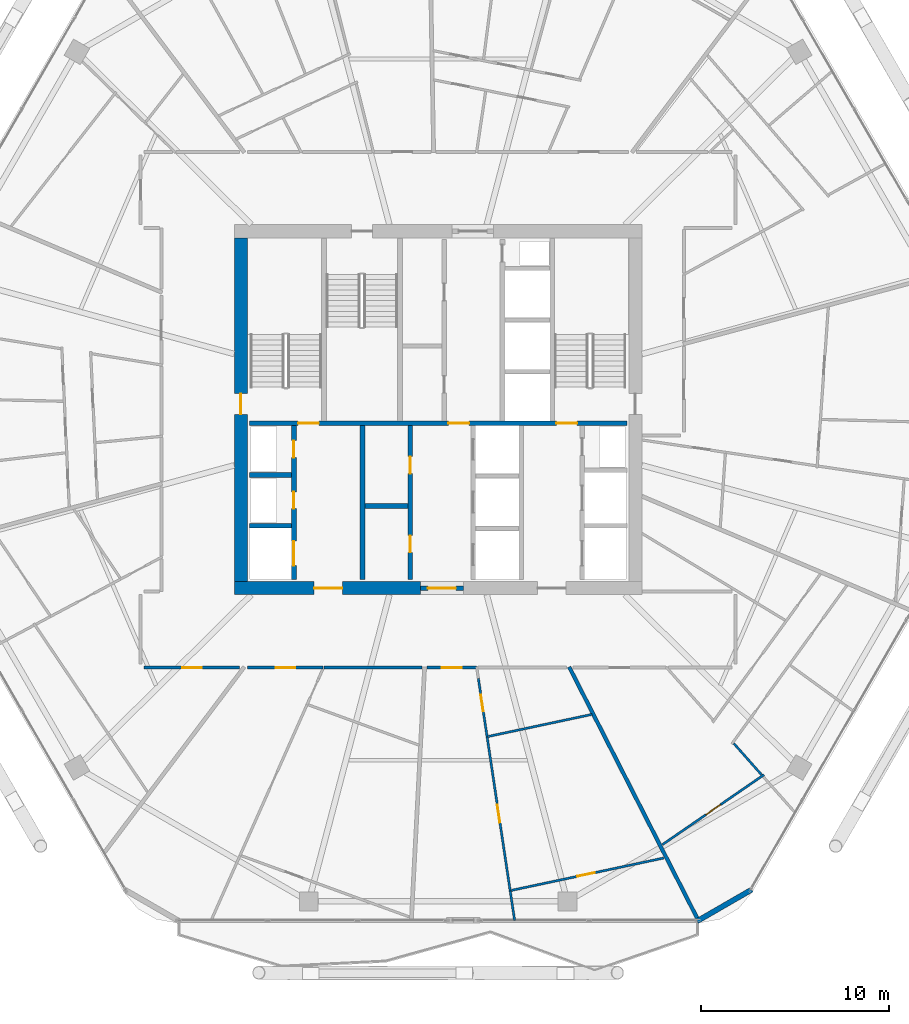
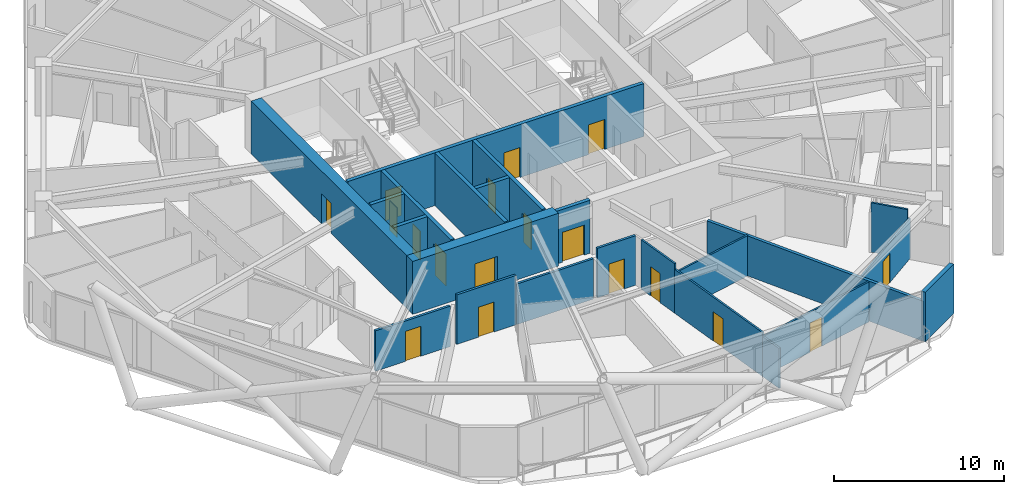
# One storey, part 22 of 29: 23 walls, 18 doors, 18 openings.
"""IFC4 building model written with IfcOpenShell, lengths in metres."""

from ifc_helpers import new_model, si_unit, direction, frame, frame_2d, origin, place, context, subcontext, project, spatial, rectangle, extrude, material, layer, layer_set, type_object, element, fill, save


model = new_model("IFC4")

# Units and contexts
model_context = context("Model", 3, precision=1e-05, world=origin(), true_north=direction((0.0, 1.0)))
body_context = subcontext(model_context, "Body", "Model", "MODEL_VIEW")
ifc_project = project(units=[si_unit("LENGTHUNIT", "METRE"), si_unit("AREAUNIT", "SQUARE_METRE"), si_unit("VOLUMEUNIT", "CUBIC_METRE"), si_unit("PLANEANGLEUNIT", "RADIAN"), si_unit("MASSUNIT", "GRAM", prefix="KILO")], contexts=[model_context])

# Site, building, storey
site_placement = place(None, origin())
site = spatial("IfcSite", under=ifc_project, at=site_placement, CompositionType="ELEMENT")
building_placement = place(site_placement, origin())
building = spatial("IfcBuilding", under=site, at=building_placement, Name="Zuhravey Tower", CompositionType="ELEMENT")
storey_placement = place(building_placement, frame((0.0, 0.0, 184.60009765625)))
storey = spatial("IfcBuildingStorey", under=building, at=storey_placement, Name="L46", CompositionType="ELEMENT", Elevation=184.60009765625)

# Wall, opening, door
ifc_material_1 = material(Name="Concrete C60/75", Category="concrete")
ifc_layer_1 = layer(ifc_material_1, 0.699951171875)
ifc_layer_set_1 = layer_set([ifc_layer_1], Name="Concrete C60/75")
wall_type_1 = type_object("IfcWallType", Name="Core Shear Wall 700", PredefinedType="SHEAR", material=ifc_layer_set_1)
wall_1_placement = place(storey_placement, frame((25.14990234375, 22.5, 0.0), z_axis=(0.0, 0.0, 1.0), x_axis=(1.0, 0.0, 0.0)))
wall_1 = element("IfcWall", 1, at=wall_1_placement, inside=storey, type_object=wall_type_1, Name="L46 South-West Core Shear Wall CW70", PredefinedType="SHEAR", context=body_context, shape_type="SweptSolid", body=[
    extrude(rectangle(XDim=9.900146484375, YDim=0.699951171875, at=frame_2d((4.9501953125, 0.0))), origin(), (0.0, 0.0, 1.0), 3.7998046875),
])
opening_1_placement = place(wall_1_placement, frame((4.25, 0.0, 0.0)))
opening_1 = element("IfcOpeningElement", 2, at=opening_1_placement, cuts=wall_1, Name="Opening FFD1", PredefinedType="OPENING", context=body_context, shape_type="SweptSolid", body=[
    extrude(rectangle(XDim=1.5, YDim=2.14990234375, at=frame_2d((0.75, 1.074951171875))), frame((0.0, 0.362060546875, 0.0), z_axis=(0.0, -1.0, 0.0), x_axis=(1.0, 0.0, 0.0)), (0.0, 0.0, 1.0), 0.723876953125),
])
ifc_material_2 = material(Name="Galvanised fire-rated steel leaf", Category="steel")
door_type_1 = type_object("IfcDoorType", Name="Firefighting Lobby Double Door 1500x2150", OperationType="DOUBLE_DOOR_SINGLE_SWING", PredefinedType="DOOR", material=ifc_material_2)
door_1_placement = place(opening_1_placement, origin())
door_1 = element("IfcDoor", 3, at=door_1_placement, inside=storey, type_object=door_type_1, Name="L46 Firefighting Lobby West Door", OperationType="DOUBLE_DOOR_SINGLE_SWING", OverallHeight=2.14990234375, OverallWidth=1.5, PredefinedType="DOOR", context=body_context, shape_type="SweptSolid", body=[
    extrude(rectangle(XDim=1.5, YDim=2.14990234375, at=frame_2d((0.75, 1.074951171875))), frame((0.0, 0.02490234375, 0.0), z_axis=(0.0, -1.0, 0.0), x_axis=(1.0, 0.0, 0.0)), (0.0, 0.0, 1.0), 0.050048828125),
])
fill(opening_1, door_1)

wall_2_placement = place(storey_placement, frame((25.5, 22.85009765625, 0.0), z_axis=(0.0, 0.0, 1.0), x_axis=(0.0, 1.0, 0.0)))
wall_2 = element("IfcWall", 4, at=wall_2_placement, inside=storey, type_object=wall_type_1, Name="L46 West Core Shear Wall CW70", PredefinedType="SHEAR", context=body_context, shape_type="SweptSolid", body=[
    extrude(rectangle(XDim=18.2998046875, YDim=0.699951171875, at=frame_2d((9.14990234375, 0.0))), origin(), (0.0, 0.0, 1.0), 3.7998046875),
])
opening_2_placement = place(wall_2_placement, frame((8.89990234375, 0.0, 0.0)))
opening_2 = element("IfcOpeningElement", 5, at=opening_2_placement, cuts=wall_2, Name="Opening STD1", PredefinedType="OPENING", context=body_context, shape_type="SweptSolid", body=[
    extrude(rectangle(XDim=1.10009765625, YDim=2.14990234375, at=frame_2d((0.550048828125, 1.074951171875))), frame((0.0, 0.362060546875, 0.0), z_axis=(0.0, -1.0, 0.0), x_axis=(1.0, 0.0, 0.0)), (0.0, 0.0, 1.0), 0.723876953125),
])
door_type_2 = type_object("IfcDoorType", Name="Protected Stair Fire Door 1100x2150", OperationType="NOTDEFINED", PredefinedType="USERDEFINED", material=ifc_material_2)
door_2_placement = place(opening_2_placement, frame((1.10009765625, 0.0, 0.0), z_axis=(0.0, 0.0, 1.0), x_axis=(-1.0, 0.0, 0.0)))
door_2 = element("IfcDoor", 6, at=door_2_placement, inside=storey, type_object=door_type_2, Name="L46 Stair ST1 Door", ObjectType="EXITDOOR", OperationType="SINGLE_SWING_LEFT", OverallHeight=2.14990234375, OverallWidth=1.10009765625, PredefinedType="USERDEFINED", context=body_context, shape_type="SweptSolid", body=[
    extrude(rectangle(XDim=1.10009765625, YDim=2.14990234375, at=frame_2d((0.550048828125, 1.074951171875))), frame((0.0, 0.02490234375, 0.0), z_axis=(0.0, -1.0, 0.0), x_axis=(1.0, 0.0, 0.0)), (0.0, 0.0, 1.0), 0.050048828125),
])
fill(opening_2, door_2)

ifc_material_3 = material(Name="Gypsum fire-rated stud partition")
ifc_layer_2 = layer(ifc_material_3, 0.159912109375)
ifc_layer_set_2 = layer_set([ifc_layer_2], Name="Gypsum fire-rated stud partition")
wall_type_2 = type_object("IfcWallType", Name="Corridor Fire Partition 160", PredefinedType="PARTITIONING", material=ifc_layer_set_2)
wall_3_placement = place(storey_placement, frame((20.35009765625, 18.27001953125, 0.0), z_axis=(0.0, 0.0, 1.0), x_axis=(1.0, 0.0, 0.0)))
wall_3 = element("IfcWall", 7, at=wall_3_placement, inside=storey, type_object=wall_type_2, Name="L46 IW16 Partition 042", PredefinedType="PARTITIONING", context=body_context, shape_type="SweptSolid", body=[
    extrude(rectangle(XDim=5.08935546875, YDim=0.159912109375, at=frame_2d((2.544677734375, 0.0))), origin(), (0.0, 0.0, 1.0), 2.89990234375),
])
opening_3_placement = place(wall_3_placement, frame((2.019775390625, 0.0, 0.0)))
opening_3 = element("IfcOpeningElement", 8, at=opening_3_placement, cuts=wall_3, Name="Opening APD1", PredefinedType="OPENING", context=body_context, shape_type="SweptSolid", body=[
    extrude(rectangle(XDim=1.050048828125, YDim=2.14990234375, at=frame_2d((0.52490234375, 1.074951171875))), frame((0.0, 0.092041015625, 0.0), z_axis=(0.0, -1.0, 0.0), x_axis=(1.0, 0.0, 0.0)), (0.0, 0.0, 1.0), 0.183837890625),
])
ifc_material_4 = material(Name="Solid-core oak fire-rated leaf")
door_type_3 = type_object("IfcDoorType", Name="Apartment Entrance Fire Door 1050x2150", OperationType="NOTDEFINED", PredefinedType="DOOR", material=ifc_material_4)
door_3_placement = place(opening_3_placement, frame((1.050048828125, 0.0, 0.0), z_axis=(0.0, 0.0, 1.0), x_axis=(-1.0, 0.0, 0.0)))
door_3 = element("IfcDoor", 9, at=door_3_placement, inside=storey, type_object=door_type_3, Name="L46 Door 042.1", OperationType="SINGLE_SWING_LEFT", OverallHeight=2.14990234375, OverallWidth=1.050048828125, PredefinedType="DOOR", context=body_context, shape_type="SweptSolid", body=[
    extrude(rectangle(XDim=1.050048828125, YDim=2.14990234375, at=frame_2d((0.52490234375, 1.074951171875))), frame((0.0, 0.02490234375, 0.0), z_axis=(0.0, -1.0, 0.0), x_axis=(1.0, 0.0, 0.0)), (0.0, 0.0, 1.0), 0.050048828125),
])
fill(opening_3, door_3)

wall_4_placement = place(storey_placement, frame((25.865234375, 18.27001953125, 0.0), z_axis=(0.0, 0.0, 1.0), x_axis=(1.0, 0.0, 0.0)))
wall_4 = element("IfcWall", 10, at=wall_4_placement, inside=storey, type_object=wall_type_2, Name="L46 IW16 Partition 046", PredefinedType="PARTITIONING", context=body_context, shape_type="SweptSolid", body=[
    extrude(rectangle(XDim=4.011474609375, YDim=0.159912109375, at=frame_2d((2.005859375, 0.0))), origin(), (0.0, 0.0, 1.0), 3.5498046875),
])
opening_4_placement = place(wall_4_placement, frame((1.480712890625, 0.0, 0.0)))
opening_4 = element("IfcOpeningElement", 11, at=opening_4_placement, cuts=wall_4, Name="Opening APD1", PredefinedType="OPENING", context=body_context, shape_type="SweptSolid", body=[
    extrude(rectangle(XDim=1.050048828125, YDim=2.14990234375, at=frame_2d((0.52490234375, 1.074951171875))), frame((0.0, 0.092041015625, 0.0), z_axis=(0.0, -1.0, 0.0), x_axis=(1.0, 0.0, 0.0)), (0.0, 0.0, 1.0), 0.183837890625),
])
door_4_placement = place(opening_4_placement, frame((1.050048828125, 0.0, 0.0), z_axis=(0.0, 0.0, 1.0), x_axis=(-1.0, 0.0, 0.0)))
door_4 = element("IfcDoor", 12, at=door_4_placement, inside=storey, type_object=door_type_3, Name="L46 Door 046.1", OperationType="SINGLE_SWING_LEFT", OverallHeight=2.14990234375, OverallWidth=1.050048828125, PredefinedType="DOOR", context=body_context, shape_type="SweptSolid", body=[
    extrude(rectangle(XDim=1.050048828125, YDim=2.14990234375, at=frame_2d((0.52490234375, 1.074951171875))), frame((0.0, 0.02490234375, 0.0), z_axis=(0.0, -1.0, 0.0), x_axis=(1.0, 0.0, 0.0)), (0.0, 0.0, 1.0), 0.050048828125),
])
fill(opening_4, door_4)

wall_5_placement = place(storey_placement, frame((35.420654296875, 18.27001953125, 0.0), z_axis=(0.0, 0.0, 1.0), x_axis=(1.0, 0.0, 0.0)))
wall_5 = element("IfcWall", 13, at=wall_5_placement, inside=storey, type_object=wall_type_2, Name="L46 IW16 Partition 050", PredefinedType="PARTITIONING", context=body_context, shape_type="SweptSolid", body=[
    extrude(rectangle(XDim=2.615966796875, YDim=0.159912109375, at=frame_2d((1.30810546875, 0.0))), origin(), (0.0, 0.0, 1.0), 3.5498046875),
])
opening_5_placement = place(wall_5_placement, frame((0.782958984375, 0.0, 0.0)))
opening_5 = element("IfcOpeningElement", 14, at=opening_5_placement, cuts=wall_5, Name="Opening APD1", PredefinedType="OPENING", context=body_context, shape_type="SweptSolid", body=[
    extrude(rectangle(XDim=1.050048828125, YDim=2.14990234375, at=frame_2d((0.52490234375, 1.074951171875))), frame((0.0, 0.092041015625, 0.0), z_axis=(0.0, -1.0, 0.0), x_axis=(1.0, 0.0, 0.0)), (0.0, 0.0, 1.0), 0.183837890625),
])
door_5_placement = place(opening_5_placement, frame((1.050048828125, 0.0, 0.0), z_axis=(0.0, 0.0, 1.0), x_axis=(-1.0, 0.0, 0.0)))
door_5 = element("IfcDoor", 15, at=door_5_placement, inside=storey, type_object=door_type_3, Name="L46 Door 050.1", OperationType="SINGLE_SWING_LEFT", OverallHeight=2.14990234375, OverallWidth=1.050048828125, PredefinedType="DOOR", context=body_context, shape_type="SweptSolid", body=[
    extrude(rectangle(XDim=1.050048828125, YDim=2.14990234375, at=frame_2d((0.52490234375, 1.074951171875))), frame((0.0, 0.02490234375, 0.0), z_axis=(0.0, -1.0, 0.0), x_axis=(1.0, 0.0, 0.0)), (0.0, 0.0, 1.0), 0.050048828125),
])
fill(opening_5, door_5)

# Walls
wall_6_placement = place(storey_placement, frame((29.92041015625, 18.27001953125, 0.0), z_axis=(0.0, 0.0, 1.0), x_axis=(1.0, 0.0, 0.0)))
element("IfcWall", 16, at=wall_6_placement, inside=storey, type_object=wall_type_2, Name="L46 IW16 Partition 141", PredefinedType="PARTITIONING", context=body_context, shape_type="SweptSolid", body=[
    extrude(rectangle(XDim=5.2197265625, YDim=0.159912109375, at=frame_2d((2.60986328125, 0.0))), origin(), (0.0, 0.0, 1.0), 2.89990234375),
])
ifc_material_5 = material(Name="Precast concrete C40/50", Category="concrete")
ifc_layer_3 = layer(ifc_material_5, 0.280029296875)
ifc_layer_set_3 = layer_set([ifc_layer_3], Name="Precast concrete C40/50")
wall_type_3 = type_object("IfcWallType", Name="Crown Architectural Wall 280", PredefinedType="SOLIDWALL", material=ifc_layer_set_3)
wall_7_placement = place(storey_placement, frame((52.693115234375, 6.451904296875, 0.0), z_axis=(0.0, 0.0, 1.0), x_axis=(-0.866020068361, -0.500009241111, 0.0)))
element("IfcWall", 17, at=wall_7_placement, inside=storey, type_object=wall_type_3, Name="L46 Rounded Corner Closure Wall EW28-02", PredefinedType="SOLIDWALL", context=body_context, shape_type="SweptSolid", body=[
    extrude(rectangle(XDim=3.365234375, YDim=0.280029296875, at=frame_2d((1.6826171875, 0.0))), origin(), (0.0, 0.0, 1.0), 3.5498046875),
])

# Wall, opening, door
ifc_material_6 = material(Name="Concrete C50/60", Category="concrete")
ifc_layer_4 = layer(ifc_material_6, 0.25)
ifc_layer_set_4 = layer_set([ifc_layer_4], Name="Concrete C50/60")
wall_type_4 = type_object("IfcWallType", Name="Firefighting Shaft & Stair Wall 250", PredefinedType="SOLIDWALL", material=ifc_layer_set_4)
wall_8_placement = place(storey_placement, frame((35.06005859375, 22.5, 0.0), z_axis=(0.0, 0.0, 1.0), x_axis=(1.0, 0.0, 0.0)))
wall_8 = element("IfcWall", 18, at=wall_8_placement, inside=storey, type_object=wall_type_4, Name="L46 FW25 Shaft Wall 001", PredefinedType="SOLIDWALL", context=body_context, shape_type="SweptSolid", body=[
    extrude(rectangle(XDim=2.280029296875, YDim=0.25, at=frame_2d((1.14013671875, 0.0))), origin(), (0.0, 0.0, 1.0), 3.7998046875),
])
opening_6_placement = place(wall_8_placement, frame((0.389892578125, 0.0, 0.0)))
opening_6 = element("IfcOpeningElement", 19, at=opening_6_placement, cuts=wall_8, Name="Opening FFD1", PredefinedType="OPENING", context=body_context, shape_type="SweptSolid", body=[
    extrude(rectangle(XDim=1.5, YDim=2.14990234375, at=frame_2d((0.75, 1.074951171875))), frame((0.0, 0.136962890625, 0.0), z_axis=(0.0, -1.0, 0.0), x_axis=(1.0, 0.0, 0.0)), (0.0, 0.0, 1.0), 0.27392578125),
])
door_6_placement = place(opening_6_placement, frame((1.5, 0.0, 0.0), z_axis=(0.0, 0.0, 1.0), x_axis=(-1.0, 0.0, 0.0)))
door_6 = element("IfcDoor", 20, at=door_6_placement, inside=storey, type_object=door_type_1, Name="L46 South Lift Lobby Exit Door", OperationType="DOUBLE_DOOR_SINGLE_SWING", OverallHeight=2.14990234375, OverallWidth=1.5, PredefinedType="DOOR", context=body_context, shape_type="SweptSolid", body=[
    extrude(rectangle(XDim=1.5, YDim=2.14990234375, at=frame_2d((0.75, 1.074951171875))), frame((0.0, 0.02490234375, 0.0), z_axis=(0.0, -1.0, 0.0), x_axis=(1.0, 0.0, 0.0)), (0.0, 0.0, 1.0), 0.050048828125),
])
fill(opening_6, door_6)

# Wall, openings, doors
wall_9_placement = place(storey_placement, frame((25.949951171875, 31.27490234375, 0.0), z_axis=(0.0, 0.0, 1.0), x_axis=(1.0, 0.0, 0.0)))
wall_9 = element("IfcWall", 21, at=wall_9_placement, inside=storey, type_object=wall_type_4, Name="L46 FW25 Shaft Wall 003", PredefinedType="SOLIDWALL", context=body_context, shape_type="SweptSolid", body=[
    extrude(rectangle(XDim=20.10009765625, YDim=0.25, at=frame_2d((10.050048828125, 0.0))), origin(), (0.0, 0.0, 1.0), 3.7998046875),
])
opening_7_placement = place(wall_9_placement, frame((2.60009765625, 0.0, 0.0)))
opening_7 = element("IfcOpeningElement", 22, at=opening_7_placement, cuts=wall_9, Name="Opening STD1", PredefinedType="OPENING", context=body_context, shape_type="SweptSolid", body=[
    extrude(rectangle(XDim=1.10009765625, YDim=2.14990234375, at=frame_2d((0.550048828125, 1.074951171875))), frame((0.0, 0.136962890625, 0.0), z_axis=(0.0, -1.0, 0.0), x_axis=(1.0, 0.0, 0.0)), (0.0, 0.0, 1.0), 0.27392578125),
])
opening_8_placement = place(wall_9_placement, frame((10.60009765625, 0.0, 0.0)))
opening_8 = element("IfcOpeningElement", 23, at=opening_8_placement, cuts=wall_9, Name="Opening STD1", PredefinedType="OPENING", context=body_context, shape_type="SweptSolid", body=[
    extrude(rectangle(XDim=1.10009765625, YDim=2.14990234375, at=frame_2d((0.550048828125, 1.074951171875))), frame((0.0, 0.136962890625, 0.0), z_axis=(0.0, -1.0, 0.0), x_axis=(1.0, 0.0, 0.0)), (0.0, 0.0, 1.0), 0.27392578125),
])
opening_9_placement = place(wall_9_placement, frame((16.35009765625, 0.0, 0.0)))
opening_9 = element("IfcOpeningElement", 24, at=opening_9_placement, cuts=wall_9, Name="Opening STD1", PredefinedType="OPENING", context=body_context, shape_type="SweptSolid", body=[
    extrude(rectangle(XDim=1.10009765625, YDim=2.14990234375, at=frame_2d((0.550048828125, 1.074951171875))), frame((0.0, 0.136962890625, 0.0), z_axis=(0.0, -1.0, 0.0), x_axis=(1.0, 0.0, 0.0)), (0.0, 0.0, 1.0), 0.27392578125),
])
door_7_placement = place(opening_7_placement, origin())
door_7 = element("IfcDoor", 25, at=door_7_placement, inside=storey, type_object=door_type_2, Name="L46 FFL-W to ST1 Door", ObjectType="EXITDOOR", OperationType="SINGLE_SWING_RIGHT", OverallHeight=2.14990234375, OverallWidth=1.10009765625, PredefinedType="USERDEFINED", context=body_context, shape_type="SweptSolid", body=[
    extrude(rectangle(XDim=1.10009765625, YDim=2.14990234375, at=frame_2d((0.550048828125, 1.074951171875))), frame((0.0, 0.02490234375, 0.0), z_axis=(0.0, -1.0, 0.0), x_axis=(1.0, 0.0, 0.0)), (0.0, 0.0, 1.0), 0.050048828125),
])
fill(opening_7, door_7)
door_8_placement = place(opening_8_placement, origin())
door_8 = element("IfcDoor", 26, at=door_8_placement, inside=storey, type_object=door_type_2, Name="L46 Core Lobby Link Door", ObjectType="EXITDOOR", OperationType="SINGLE_SWING_LEFT", OverallHeight=2.14990234375, OverallWidth=1.10009765625, PredefinedType="USERDEFINED", context=body_context, shape_type="SweptSolid", body=[
    extrude(rectangle(XDim=1.10009765625, YDim=2.14990234375, at=frame_2d((0.550048828125, 1.074951171875))), frame((0.0, 0.02490234375, 0.0), z_axis=(0.0, -1.0, 0.0), x_axis=(1.0, 0.0, 0.0)), (0.0, 0.0, 1.0), 0.050048828125),
])
fill(opening_8, door_8)
door_9_placement = place(opening_9_placement, origin())
door_9 = element("IfcDoor", 27, at=door_9_placement, inside=storey, type_object=door_type_2, Name="L46 FFL-E to ST2 Door", ObjectType="EXITDOOR", OperationType="SINGLE_SWING_RIGHT", OverallHeight=2.14990234375, OverallWidth=1.10009765625, PredefinedType="USERDEFINED", context=body_context, shape_type="SweptSolid", body=[
    extrude(rectangle(XDim=1.10009765625, YDim=2.14990234375, at=frame_2d((0.550048828125, 1.074951171875))), frame((0.0, 0.02490234375, 0.0), z_axis=(0.0, -1.0, 0.0), x_axis=(1.0, 0.0, 0.0)), (0.0, 0.0, 1.0), 0.050048828125),
])
fill(opening_9, door_9)

# Walls
for number, where, z_axis, x_axis, name in (
    (28, (25.949951171875, 25.824951171875, 0.0), (0.0, 0.0, 1.0), (1.0, 0.0, 0.0), "L46 FW25 Shaft Wall 009"),
    (29, (25.949951171875, 28.52490234375, 0.0), (0.0, 0.0, 1.0), (1.0, 0.0, 0.0), "L46 FW25 Shaft Wall 010"),
):
    element("IfcWall", number, at=place(storey_placement, frame(where, z_axis=z_axis, x_axis=x_axis)), inside=storey, type_object=wall_type_4, Name=name, PredefinedType="SOLIDWALL", context=body_context, shape_type="SweptSolid", body=[
        extrude(rectangle(XDim=2.25, YDim=0.25, at=frame_2d((1.125, 0.0))), origin(), (0.0, 0.0, 1.0), 3.7998046875),
    ])

# Wall, openings, doors
wall_10_placement = place(storey_placement, frame((28.324951171875, 22.949951171875, 0.0), z_axis=(0.0, 0.0, 1.0), x_axis=(0.0, 1.0, 0.0)))
wall_10 = element("IfcWall", 30, at=wall_10_placement, inside=storey, type_object=wall_type_4, Name="L46 FW25 Shaft Wall 011", PredefinedType="SOLIDWALL", context=body_context, shape_type="SweptSolid", body=[
    extrude(rectangle(XDim=8.199951171875, YDim=0.25, at=frame_2d((4.10009765625, 0.0))), origin(), (0.0, 0.0, 1.0), 3.7998046875),
])
opening_10_placement = place(wall_10_placement, frame((0.75, 0.0, 0.0)))
opening_10 = element("IfcOpeningElement", 31, at=opening_10_placement, cuts=wall_10, Name="Opening LD2", PredefinedType="OPENING", context=body_context, shape_type="SweptSolid", body=[
    extrude(rectangle(XDim=1.300048828125, YDim=2.300048828125, at=frame_2d((0.64990234375, 1.14990234375))), frame((0.0, 0.136962890625, 0.0), z_axis=(0.0, -1.0, 0.0), x_axis=(1.0, 0.0, 0.0)), (0.0, 0.0, 1.0), 0.27392578125),
])
opening_11_placement = place(wall_10_placement, frame((3.780029296875, 0.0, 0.0)))
opening_11 = element("IfcOpeningElement", 32, at=opening_11_placement, cuts=wall_10, Name="Opening RSD1", PredefinedType="OPENING", context=body_context, shape_type="SweptSolid", body=[
    extrude(rectangle(XDim=0.89990234375, YDim=2.10009765625, at=frame_2d((0.449951171875, 1.050048828125))), frame((0.0, 0.136962890625, 0.0), z_axis=(0.0, -1.0, 0.0), x_axis=(1.0, 0.0, 0.0)), (0.0, 0.0, 1.0), 0.27392578125),
])
opening_12_placement = place(wall_10_placement, frame((6.5, 0.0, 0.0)))
opening_12 = element("IfcOpeningElement", 33, at=opening_12_placement, cuts=wall_10, Name="Opening RSD1", PredefinedType="OPENING", context=body_context, shape_type="SweptSolid", body=[
    extrude(rectangle(XDim=0.89990234375, YDim=2.10009765625, at=frame_2d((0.449951171875, 1.050048828125))), frame((0.0, 0.136962890625, 0.0), z_axis=(0.0, -1.0, 0.0), x_axis=(1.0, 0.0, 0.0)), (0.0, 0.0, 1.0), 0.27392578125),
])
ifc_material_7 = material(Name="Brushed stainless steel", Category="steel")
door_type_4 = type_object("IfcDoorType", Name="Freight & Stretcher Lift Sliding Door 1300x2300", OperationType="DOUBLE_DOOR_SLIDING", PredefinedType="DOOR", material=ifc_material_7)
door_10_placement = place(opening_10_placement, frame((1.300048828125, 0.0, 0.0), z_axis=(0.0, 0.0, 1.0), x_axis=(-1.0, 0.0, 0.0)))
door_10 = element("IfcDoor", 34, at=door_10_placement, inside=storey, type_object=door_type_4, Name="L46 Lift FF1 Landing Door", OperationType="DOUBLE_DOOR_SLIDING", OverallHeight=2.300048828125, OverallWidth=1.300048828125, PredefinedType="DOOR", context=body_context, shape_type="SweptSolid", body=[
    extrude(rectangle(XDim=1.300048828125, YDim=2.300048828125, at=frame_2d((0.64990234375, 1.14990234375))), frame((0.0, 0.02490234375, 0.0), z_axis=(0.0, -1.0, 0.0), x_axis=(1.0, 0.0, 0.0)), (0.0, 0.0, 1.0), 0.050048828125),
])
fill(opening_10, door_10)
ifc_material_8 = material(Name="Galvanised fire-rated steel access leaf", Category="steel")
door_type_5 = type_object("IfcDoorType", Name="Riser & Shaft Access Fire Door 900x2100", OperationType="NOTDEFINED", PredefinedType="DOOR", material=ifc_material_8)
door_11_placement = place(opening_11_placement, frame((0.89990234375, 0.0, 0.0), z_axis=(0.0, 0.0, 1.0), x_axis=(-1.0, 0.0, 0.0)))
door_11 = element("IfcDoor", 35, at=door_11_placement, inside=storey, type_object=door_type_5, Name="L46 Electrical Riser Door", OperationType="SINGLE_SWING_RIGHT", OverallHeight=2.10009765625, OverallWidth=0.89990234375, PredefinedType="DOOR", context=body_context, shape_type="SweptSolid", body=[
    extrude(rectangle(XDim=0.89990234375, YDim=2.10009765625, at=frame_2d((0.449951171875, 1.050048828125))), frame((0.0, 0.02490234375, 0.0), z_axis=(0.0, -1.0, 0.0), x_axis=(1.0, 0.0, 0.0)), (0.0, 0.0, 1.0), 0.050048828125),
])
fill(opening_11, door_11)
door_12_placement = place(opening_12_placement, frame((0.89990234375, 0.0, 0.0), z_axis=(0.0, 0.0, 1.0), x_axis=(-1.0, 0.0, 0.0)))
door_12 = element("IfcDoor", 36, at=door_12_placement, inside=storey, type_object=door_type_5, Name="L46 Smoke Shaft Access Door", OperationType="SINGLE_SWING_LEFT", OverallHeight=2.10009765625, OverallWidth=0.89990234375, PredefinedType="DOOR", context=body_context, shape_type="SweptSolid", body=[
    extrude(rectangle(XDim=0.89990234375, YDim=2.10009765625, at=frame_2d((0.449951171875, 1.050048828125))), frame((0.0, 0.02490234375, 0.0), z_axis=(0.0, -1.0, 0.0), x_axis=(1.0, 0.0, 0.0)), (0.0, 0.0, 1.0), 0.050048828125),
])
fill(opening_12, door_12)

# Walls
wall_11_placement = place(storey_placement, frame((31.97509765625, 22.949951171875, 0.0), z_axis=(0.0, 0.0, 1.0), x_axis=(0.0, 1.0, 0.0)))
element("IfcWall", 37, at=wall_11_placement, inside=storey, type_object=wall_type_4, Name="L46 FW25 Shaft Wall 012", PredefinedType="SOLIDWALL", context=body_context, shape_type="SweptSolid", body=[
    extrude(rectangle(XDim=8.199951171875, YDim=0.25, at=frame_2d((4.10009765625, 0.0))), origin(), (0.0, 0.0, 1.0), 3.7998046875),
])
wall_12_placement = place(storey_placement, frame((32.10009765625, 26.875, 0.0), z_axis=(0.0, 0.0, 1.0), x_axis=(1.0, 0.0, 0.0)))
element("IfcWall", 38, at=wall_12_placement, inside=storey, type_object=wall_type_4, Name="L46 FW25 Shaft Wall 013", PredefinedType="SOLIDWALL", context=body_context, shape_type="SweptSolid", body=[
    extrude(rectangle(XDim=2.2998046875, YDim=0.25, at=frame_2d((1.14990234375, 0.0))), origin(), (0.0, 0.0, 1.0), 3.7998046875),
])

# Wall, openings, doors
wall_13_placement = place(storey_placement, frame((34.52490234375, 22.949951171875, 0.0), z_axis=(0.0, 0.0, 1.0), x_axis=(0.0, 1.0, 0.0)))
wall_13 = element("IfcWall", 39, at=wall_13_placement, inside=storey, type_object=wall_type_4, Name="L46 FW25 Shaft Wall 014", PredefinedType="SOLIDWALL", context=body_context, shape_type="SweptSolid", body=[
    extrude(rectangle(XDim=8.199951171875, YDim=0.25, at=frame_2d((4.10009765625, 0.0))), origin(), (0.0, 0.0, 1.0), 3.7998046875),
])
opening_13_placement = place(wall_13_placement, frame((1.449951171875, 0.0, 0.0)))
opening_13 = element("IfcOpeningElement", 40, at=opening_13_placement, cuts=wall_13, Name="Opening RSD1", PredefinedType="OPENING", context=body_context, shape_type="SweptSolid", body=[
    extrude(rectangle(XDim=0.89990234375, YDim=2.10009765625, at=frame_2d((0.449951171875, 1.050048828125))), frame((0.0, 0.136962890625, 0.0), z_axis=(0.0, -1.0, 0.0), x_axis=(1.0, 0.0, 0.0)), (0.0, 0.0, 1.0), 0.27392578125),
])
opening_14_placement = place(wall_13_placement, frame((5.64990234375, 0.0, 0.0)))
opening_14 = element("IfcOpeningElement", 41, at=opening_14_placement, cuts=wall_13, Name="Opening RSD1", PredefinedType="OPENING", context=body_context, shape_type="SweptSolid", body=[
    extrude(rectangle(XDim=0.89990234375, YDim=2.10009765625, at=frame_2d((0.449951171875, 1.050048828125))), frame((0.0, 0.136962890625, 0.0), z_axis=(0.0, -1.0, 0.0), x_axis=(1.0, 0.0, 0.0)), (0.0, 0.0, 1.0), 0.27392578125),
])
door_13_placement = place(opening_13_placement, origin())
door_13 = element("IfcDoor", 42, at=door_13_placement, inside=storey, type_object=door_type_5, Name="L46 Housekeeping and Linen Room Door", OperationType="SINGLE_SWING_RIGHT", OverallHeight=2.10009765625, OverallWidth=0.89990234375, PredefinedType="DOOR", context=body_context, shape_type="SweptSolid", body=[
    extrude(rectangle(XDim=0.89990234375, YDim=2.10009765625, at=frame_2d((0.449951171875, 1.050048828125))), frame((0.0, 0.02490234375, 0.0), z_axis=(0.0, -1.0, 0.0), x_axis=(1.0, 0.0, 0.0)), (0.0, 0.0, 1.0), 0.050048828125),
])
fill(opening_13, door_13)
door_14_placement = place(opening_14_placement, origin())
door_14 = element("IfcDoor", 43, at=door_14_placement, inside=storey, type_object=door_type_5, Name="L46 Telecoms Switch Closet Door", OperationType="SINGLE_SWING_LEFT", OverallHeight=2.10009765625, OverallWidth=0.89990234375, PredefinedType="DOOR", context=body_context, shape_type="SweptSolid", body=[
    extrude(rectangle(XDim=0.89990234375, YDim=2.10009765625, at=frame_2d((0.449951171875, 1.050048828125))), frame((0.0, 0.02490234375, 0.0), z_axis=(0.0, -1.0, 0.0), x_axis=(1.0, 0.0, 0.0)), (0.0, 0.0, 1.0), 0.050048828125),
])
fill(opening_14, door_14)

# Wall
ifc_material_9 = material(Name="Gypsum double-stud party assembly")
ifc_layer_5 = layer(ifc_material_9, 0.199951171875)
ifc_layer_set_5 = layer_set([ifc_layer_5], Name="Gypsum double-stud party assembly")
wall_type_5 = type_object("IfcWallType", Name="Inter-Tenancy Party Wall 200", PredefinedType="PARTITIONING", material=ifc_layer_set_5)
wall_14_placement = place(storey_placement, frame((42.975341796875, 18.31005859375, 0.0), z_axis=(0.0, 0.0, 1.0), x_axis=(0.453997506489, -0.891002954037, 0.0)))
element("IfcWall", 44, at=wall_14_placement, inside=storey, type_object=wall_type_5, Name="L46 IW20 Partition 111", PredefinedType="PARTITIONING", context=body_context, shape_type="SweptSolid", body=[
    extrude(rectangle(XDim=15.143798828125, YDim=0.199951171875, at=frame_2d((7.57177734375, 0.0))), origin(), (0.0, 0.0, 1.0), 2.869873046875),
])

# Wall, opening, door
ifc_material_10 = material(Name="Gypsum metal-stud partition")
ifc_layer_6 = layer(ifc_material_10, 0.1201171875)
ifc_layer_set_6 = layer_set([ifc_layer_6], Name="Gypsum metal-stud partition")
wall_type_6 = type_object("IfcWallType", Name="Unit Internal Partition 120", PredefinedType="PARTITIONING", material=ifc_layer_set_6)
wall_15_placement = place(storey_placement, frame((38.142333984375, 17.699951171875, 0.0), z_axis=(0.0, 0.0, 1.0), x_axis=(0.148099173733, -0.988972514653, 0.0)))
wall_15 = element("IfcWall", 45, at=wall_15_placement, inside=storey, type_object=wall_type_6, Name="L46 IW12 Partition 047", PredefinedType="PARTITIONING", context=body_context, shape_type="SweptSolid", body=[
    extrude(rectangle(XDim=3.166748046875, YDim=0.1201171875, at=frame_2d((1.58349609375, 0.0))), origin(), (0.0, 0.0, 1.0), 3.5498046875),
])
opening_15_placement = place(wall_15_placement, frame((0.8798828125, 0.0, 0.0)))
opening_15 = element("IfcOpeningElement", 46, at=opening_15_placement, cuts=wall_15, Name="Opening WCD1", PredefinedType="OPENING", context=body_context, shape_type="SweptSolid", body=[
    extrude(rectangle(XDim=0.89990234375, YDim=2.10009765625, at=frame_2d((0.449951171875, 1.050048828125))), frame((0.0, 0.072021484375, 0.0), z_axis=(0.0, -1.0, 0.0), x_axis=(1.0, 0.0, 0.0)), (0.0, 0.0, 1.0), 0.14404296875),
])
ifc_material_11 = material(Name="Moisture-resistant timber leaf", Category="wood")
door_type_6 = type_object("IfcDoorType", Name="Bathroom & WC Internal Door 900x2100", OperationType="NOTDEFINED", PredefinedType="DOOR", material=ifc_material_11)
door_15_placement = place(opening_15_placement, origin())
door_15 = element("IfcDoor", 47, at=door_15_placement, inside=storey, type_object=door_type_6, Name="Apartment L46-08 Bathroom Door", OperationType="SINGLE_SWING_RIGHT", OverallHeight=2.10009765625, OverallWidth=0.89990234375, PredefinedType="DOOR", context=body_context, shape_type="SweptSolid", body=[
    extrude(rectangle(XDim=0.89990234375, YDim=2.10009765625, at=frame_2d((0.449951171875, 1.050048828125))), frame((0.0, 0.02490234375, 0.0), z_axis=(0.0, -1.0, 0.0), x_axis=(1.0, 0.0, 0.0)), (0.0, 0.0, 1.0), 0.050048828125),
])
fill(opening_15, door_15)

wall_16_placement = place(storey_placement, frame((38.611328125, 14.568115234375, 0.0), z_axis=(0.0, 0.0, 1.0), x_axis=(0.148161808742, -0.988963132999, 0.0)))
wall_16 = element("IfcWall", 48, at=wall_16_placement, inside=storey, type_object=wall_type_6, Name="L46 IW12 Partition 048", PredefinedType="PARTITIONING", context=body_context, shape_type="SweptSolid", body=[
    extrude(rectangle(XDim=8.286865234375, YDim=0.1201171875, at=frame_2d((4.1435546875, 0.0))), origin(), (0.0, 0.0, 1.0), 3.14990234375),
])
opening_16_placement = place(wall_16_placement, frame((3.643310546875, 0.0, 0.0)))
opening_16 = element("IfcOpeningElement", 49, at=opening_16_placement, cuts=wall_16, Name="Opening IND1", PredefinedType="OPENING", context=body_context, shape_type="SweptSolid", body=[
    extrude(rectangle(XDim=0.949951171875, YDim=2.10009765625, at=frame_2d((0.47509765625, 1.050048828125))), frame((0.0, 0.072021484375, 0.0), z_axis=(0.0, -1.0, 0.0), x_axis=(1.0, 0.0, 0.0)), (0.0, 0.0, 1.0), 0.14404296875),
])
ifc_material_12 = material(Name="Painted engineered timber leaf", Category="wood")
door_type_7 = type_object("IfcDoorType", Name="Internal Room & Bedroom Door 950x2100", OperationType="NOTDEFINED", PredefinedType="DOOR", material=ifc_material_12)
door_16_placement = place(opening_16_placement, origin())
door_16 = element("IfcDoor", 50, at=door_16_placement, inside=storey, type_object=door_type_7, Name="Apartment L46-08 Home Office Door", OperationType="SINGLE_SWING_LEFT", OverallHeight=2.10009765625, OverallWidth=0.949951171875, PredefinedType="DOOR", context=body_context, shape_type="SweptSolid", body=[
    extrude(rectangle(XDim=0.949951171875, YDim=2.10009765625, at=frame_2d((0.47509765625, 1.050048828125))), frame((0.0, 0.02490234375, 0.0), z_axis=(0.0, -1.0, 0.0), x_axis=(1.0, 0.0, 0.0)), (0.0, 0.0, 1.0), 0.050048828125),
])
fill(opening_16, door_16)

wall_17_placement = place(storey_placement, frame((39.902099609375, 6.411865234375, 0.0), z_axis=(0.0, 0.0, 1.0), x_axis=(0.978148894312, 0.207905604918, 0.0)))
wall_17 = element("IfcWall", 51, at=wall_17_placement, inside=storey, type_object=wall_type_6, Name="L46 IW12 Partition 049", PredefinedType="PARTITIONING", context=body_context, shape_type="SweptSolid", body=[
    extrude(rectangle(XDim=8.289306640625, YDim=0.1201171875, at=frame_2d((4.14453125, 0.0))), origin(), (0.0, 0.0, 1.0), 2.869873046875),
])
opening_17_placement = place(wall_17_placement, frame((3.585693359375, 0.0, 0.0)))
opening_17 = element("IfcOpeningElement", 52, at=opening_17_placement, cuts=wall_17, Name="Opening IND1", PredefinedType="OPENING", context=body_context, shape_type="SweptSolid", body=[
    extrude(rectangle(XDim=0.949951171875, YDim=2.10009765625, at=frame_2d((0.47509765625, 1.050048828125))), frame((0.0, 0.072021484375, 0.0), z_axis=(0.0, -1.0, 0.0), x_axis=(1.0, 0.0, 0.0)), (0.0, 0.0, 1.0), 0.14404296875),
])
door_17_placement = place(opening_17_placement, frame((0.949951171875, 0.0, 0.0), z_axis=(0.0, 0.0, 1.0), x_axis=(-1.0, 0.0, 0.0)))
door_17 = element("IfcDoor", 53, at=door_17_placement, inside=storey, type_object=door_type_7, Name="Apartment L46-08 Kitchen Door", OperationType="SINGLE_SWING_RIGHT", OverallHeight=2.10009765625, OverallWidth=0.949951171875, PredefinedType="DOOR", context=body_context, shape_type="SweptSolid", body=[
    extrude(rectangle(XDim=0.949951171875, YDim=2.10009765625, at=frame_2d((0.47509765625, 1.050048828125))), frame((0.0, 0.02490234375, 0.0), z_axis=(0.0, -1.0, 0.0), x_axis=(1.0, 0.0, 0.0)), (0.0, 0.0, 1.0), 0.050048828125),
])
fill(opening_17, door_17)

wall_18_placement = place(storey_placement, frame((47.939697265625, 8.847412109375, 0.0), z_axis=(0.0, 0.0, 1.0), x_axis=(0.823925822712, 0.566697660723, 0.0)))
wall_18 = element("IfcWall", 54, at=wall_18_placement, inside=storey, type_object=wall_type_6, Name="L46 IW12 Partition 051", PredefinedType="PARTITIONING", context=body_context, shape_type="SweptSolid", body=[
    extrude(rectangle(XDim=6.56591796875, YDim=0.1201171875, at=frame_2d((3.282958984375, 0.0))), origin(), (0.0, 0.0, 1.0), 2.869873046875),
])
opening_18_placement = place(wall_18_placement, frame((2.807861328125, 0.0, 0.0)))
opening_18 = element("IfcOpeningElement", 55, at=opening_18_placement, cuts=wall_18, Name="Opening IND1", PredefinedType="OPENING", context=body_context, shape_type="SweptSolid", body=[
    extrude(rectangle(XDim=0.949951171875, YDim=2.10009765625, at=frame_2d((0.47509765625, 1.050048828125))), frame((0.0, 0.072021484375, 0.0), z_axis=(0.0, -1.0, 0.0), x_axis=(1.0, 0.0, 0.0)), (0.0, 0.0, 1.0), 0.14404296875),
])
door_18_placement = place(opening_18_placement, frame((0.949951171875, 0.0, 0.0), z_axis=(0.0, 0.0, 1.0), x_axis=(-1.0, 0.0, 0.0)))
door_18 = element("IfcDoor", 56, at=door_18_placement, inside=storey, type_object=door_type_7, Name="Apartment L46-09 Family Study Door", OperationType="SINGLE_SWING_RIGHT", OverallHeight=2.10009765625, OverallWidth=0.949951171875, PredefinedType="DOOR", context=body_context, shape_type="SweptSolid", body=[
    extrude(rectangle(XDim=0.949951171875, YDim=2.10009765625, at=frame_2d((0.47509765625, 1.050048828125))), frame((0.0, 0.02490234375, 0.0), z_axis=(0.0, -1.0, 0.0), x_axis=(1.0, 0.0, 0.0)), (0.0, 0.0, 1.0), 0.050048828125),
])
fill(opening_18, door_18)

# Walls
wall_19_placement = place(storey_placement, frame((39.839111328125, 6.372802734375, 0.0), z_axis=(0.0, 0.0, 1.0), x_axis=(0.148196726009, -0.988957901227, 0.0)))
element("IfcWall", 57, at=wall_19_placement, inside=storey, type_object=wall_type_6, Name="L46 IW12 Partition 109", PredefinedType="PARTITIONING", context=body_context, shape_type="SweptSolid", body=[
    extrude(rectangle(XDim=1.578125, YDim=0.1201171875, at=frame_2d((0.7890625, 0.0))), origin(), (0.0, 0.0, 1.0), 2.869873046875),
])
wall_20_placement = place(storey_placement, frame((38.67431640625, 14.60693359375, 0.0), z_axis=(0.0, 0.0, 1.0), x_axis=(0.978141487947, 0.207940447142, 0.0)))
element("IfcWall", 58, at=wall_20_placement, inside=storey, type_object=wall_type_6, Name="L46 IW12 Partition 110", PredefinedType="PARTITIONING", context=body_context, shape_type="SweptSolid", body=[
    extrude(rectangle(XDim=5.6474609375, YDim=0.1201171875, at=frame_2d((2.82373046875, 0.0))), origin(), (0.0, 0.0, 1.0), 2.89990234375),
])
wall_21_placement = place(storey_placement, frame((51.738525390625, 14.23583984375, 0.0), z_axis=(0.0, 0.0, 1.0), x_axis=(0.663176854864, -0.74846273065, 0.0)))
element("IfcWall", 59, at=wall_21_placement, inside=storey, type_object=wall_type_6, Name="L46 IW12 Partition 115", PredefinedType="PARTITIONING", context=body_context, shape_type="SweptSolid", body=[
    extrude(rectangle(XDim=2.235595703125, YDim=0.1201171875, at=frame_2d((1.11767578125, 0.0))), origin(), (0.0, 0.0, 1.0), 3.5498046875),
])

save(model, "model.ifc")
